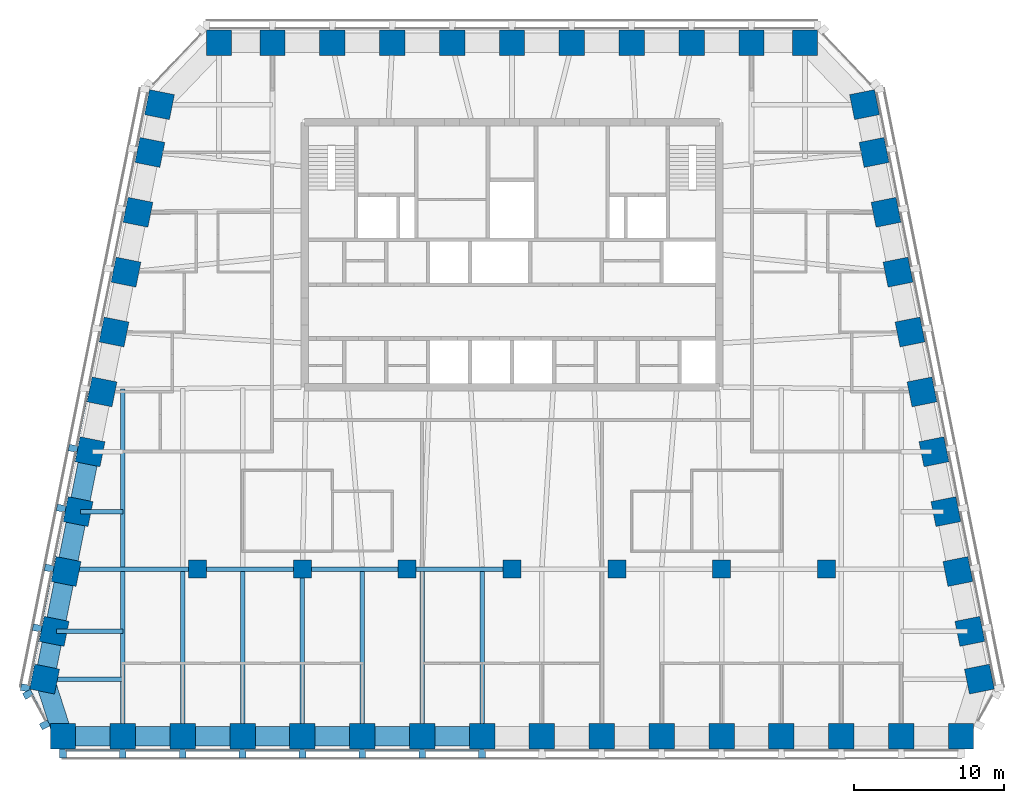
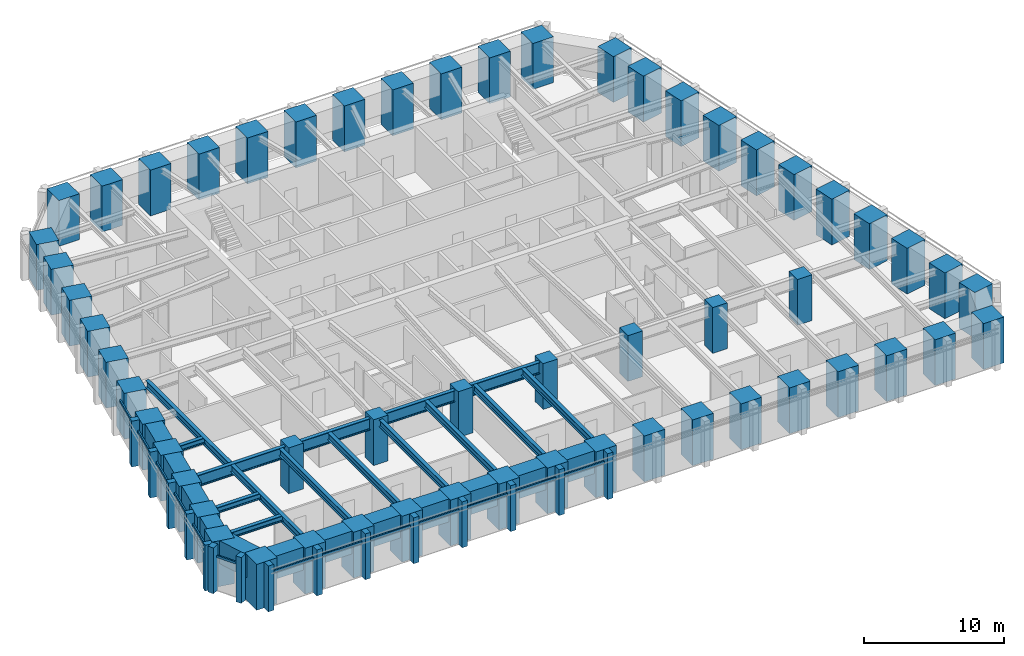
# One storey, part 1 of 11: 56 columns, 28 members, 27 beams, 3 elements without a shape of their own.
"""IFC4 building model written with IfcOpenShell, lengths in metres."""

from ifc_helpers import new_model, si_unit, direction, frame, origin, origin_2d, place, context, subcontext, project, spatial, rectangle, i_section, extrude, material, material_profile, profile_set, type_object, element, aggregate, save


model = new_model("IFC4")

# Units and contexts
model_context = context("Model", 3, precision=1e-05, world=origin(), true_north=direction((0.0, 1.0)))
body_context = subcontext(model_context, "Body", "Model", "MODEL_VIEW")
ifc_project = project(units=[si_unit("LENGTHUNIT", "METRE"), si_unit("AREAUNIT", "SQUARE_METRE"), si_unit("VOLUMEUNIT", "CUBIC_METRE"), si_unit("PLANEANGLEUNIT", "RADIAN"), si_unit("MASSUNIT", "GRAM", prefix="KILO")], contexts=[model_context])

# Site, building, storey
site_placement = place(None, origin())
site = spatial("IfcSite", under=ifc_project, at=site_placement, CompositionType="ELEMENT")
building_placement = place(site_placement, origin())
building = spatial("IfcBuilding", under=site, at=building_placement, Name="Isbrekke Arena Tower", CompositionType="ELEMENT")
storey_placement = place(building_placement, frame((0.0, 0.0, 252.0)))
storey = spatial("IfcBuildingStorey", under=building, at=storey_placement, Name="L58", CompositionType="ELEMENT", Elevation=252.0)

# Columns
ifc_material_1 = material(Name="Concrete B55 (C55/67)", Category="concrete")
ifc_material_profile_1 = material_profile(ifc_material_1, rectangle(XDim=1.199951171875, YDim=1.199951171875, at=origin_2d()), Name="RC 1200x1200")
ifc_profile_set_1 = profile_set([ifc_material_profile_1], Name="Concrete B55 (C55/67)")
column_type_1 = type_object("IfcColumnType", Name="C14 RC 1200 x 1200", PredefinedType="COLUMN", material=ifc_profile_set_1)
for number, where, z_axis, x_axis, name in (
    (1, (-21.0, -6.0, 0.0), (0.0, 0.0, 1.0), (1.0, 0.0, 0.0), "C14 I01"),
    (2, (-14.0, -6.0, 0.0), (0.0, 0.0, 1.0), (1.0, 0.0, 0.0), "C14 I02"),
    (3, (-7.0, -6.0, 0.0), (0.0, 0.0, 1.0), (1.0, 0.0, 0.0), "C14 I03"),
    (4, (0.0, -6.0, 0.0), (0.0, 0.0, 1.0), (1.0, 0.0, 0.0), "C14 I04"),
    (5, (7.0, -6.0, 0.0), (0.0, 0.0, 1.0), (1.0, 0.0, 0.0), "C14 I05"),
    (6, (14.0, -6.0, 0.0), (0.0, 0.0, 1.0), (1.0, 0.0, 0.0), "C14 I06"),
    (7, (21.0, -6.0, 0.0), (0.0, 0.0, 1.0), (1.0, 0.0, 0.0), "C14 I07"),
):
    element("IfcColumn", number, at=place(storey_placement, frame(where, z_axis=z_axis, x_axis=x_axis)), inside=storey, type_object=column_type_1, Name=name, PredefinedType="COLUMN", context=body_context, shape_type="SweptSolid", body=[
        extrude(rectangle(XDim=1.199951171875, YDim=1.199951171875, at=origin_2d()), origin(), (0.0, 0.0, 1.0), 4.0),
    ])
ifc_material_2 = material(Name="Concrete B55 (C55/67)", Category="concrete")
ifc_material_profile_2 = material_profile(ifc_material_2, rectangle(XDim=1.699951171875, YDim=1.699951171875, at=origin_2d()), Name="RC 1700x1700")
ifc_profile_set_2 = profile_set([ifc_material_profile_2], Name="Concrete B55 (C55/67)")
column_type_2 = type_object("IfcColumnType", Name="C5 RC 1700 x 1700", PredefinedType="COLUMN", material=ifc_profile_set_2)
for number, where, z_axis, x_axis, name in (
    (8, (-30.0, -17.175048828125, 0.0), (0.0, 0.0, 1.0), (1.0, 0.0, 0.0), "C5 S01"),
    (9, (-26.0, -17.175048828125, 0.0), (0.0, 0.0, 1.0), (1.0, 0.0, 0.0), "C5 S02"),
    (10, (-22.0, -17.175048828125, 0.0), (0.0, 0.0, 1.0), (1.0, 0.0, 0.0), "C5 S03"),
    (11, (-18.0, -17.175048828125, 0.0), (0.0, 0.0, 1.0), (1.0, 0.0, 0.0), "C5 S04"),
    (12, (-14.0, -17.175048828125, 0.0), (0.0, 0.0, 1.0), (1.0, 0.0, 0.0), "C5 S05"),
    (13, (-10.0, -17.175048828125, 0.0), (0.0, 0.0, 1.0), (1.0, 0.0, 0.0), "C5 S06"),
    (14, (-6.0, -17.175048828125, 0.0), (0.0, 0.0, 1.0), (1.0, 0.0, 0.0), "C5 S07"),
    (15, (-2.0, -17.175048828125, 0.0), (0.0, 0.0, 1.0), (1.0, 0.0, 0.0), "C5 S08"),
    (16, (2.0, -17.175048828125, 0.0), (0.0, 0.0, 1.0), (1.0, 0.0, 0.0), "C5 S09"),
    (17, (6.0, -17.175048828125, 0.0), (0.0, 0.0, 1.0), (1.0, 0.0, 0.0), "C5 S10"),
    (18, (10.0, -17.175048828125, 0.0), (0.0, 0.0, 1.0), (1.0, 0.0, 0.0), "C5 S11"),
    (19, (14.0, -17.175048828125, 0.0), (0.0, 0.0, 1.0), (1.0, 0.0, 0.0), "C5 S12"),
    (20, (18.0, -17.175048828125, 0.0), (0.0, 0.0, 1.0), (1.0, 0.0, 0.0), "C5 S13"),
    (21, (22.0, -17.175048828125, 0.0), (0.0, 0.0, 1.0), (1.0, 0.0, 0.0), "C5 S14"),
    (22, (26.0, -17.175048828125, 0.0), (0.0, 0.0, 1.0), (1.0, 0.0, 0.0), "C5 S15"),
    (23, (30.0, -17.175048828125, 0.0), (0.0, 0.0, 1.0), (1.0, 0.0, 0.0), "C5 S16"),
    (24, (31.229248046875, -13.352783203125, 0.0), (0.0, 0.0, 1.0), (-0.196116135138, 0.980580675691, 0.0), "C5 E01"),
    (25, (30.591064453125, -10.161865234375, 0.0), (0.0, 0.0, 1.0), (-0.196116135138, 0.980580675691, 0.0), "C5 E02"),
    (26, (29.791015625, -6.161865234375, 0.0), (0.0, 0.0, 1.0), (-0.196116135138, 0.980580675691, 0.0), "C5 E03"),
    (27, (28.990966796875, -2.161865234375, 0.0), (0.0, 0.0, 1.0), (-0.196116135138, 0.980580675691, 0.0), "C5 E04"),
    (28, (28.19091796875, 1.838134765625, 0.0), (0.0, 0.0, 1.0), (-0.196116135138, 0.980580675691, 0.0), "C5 E05"),
    (29, (27.39111328125, 5.838134765625, 0.0), (0.0, 0.0, 1.0), (-0.196116135138, 0.980580675691, 0.0), "C5 E06"),
    (30, (26.591064453125, 9.838134765625, 0.0), (0.0, 0.0, 1.0), (-0.196116135138, 0.980580675691, 0.0), "C5 E07"),
    (31, (25.791015625, 13.838134765625, 0.0), (0.0, 0.0, 1.0), (-0.196116135138, 0.980580675691, 0.0), "C5 E08"),
    (32, (24.990966796875, 17.838134765625, 0.0), (0.0, 0.0, 1.0), (-0.196116135138, 0.980580675691, 0.0), "C5 E09"),
    (33, (24.19091796875, 21.838134765625, 0.0), (0.0, 0.0, 1.0), (-0.196116135138, 0.980580675691, 0.0), "C5 E10"),
    (34, (23.552734375, 25.029296875, 0.0), (0.0, 0.0, 1.0), (-0.196116135138, 0.980580675691, 0.0), "C5 E11"),
    (35, (19.574951171875, 29.175048828125, 0.0), (0.0, 0.0, 1.0), (-1.0, 0.0, 0.0), "C5 N01"),
    (36, (16.0, 29.175048828125, 0.0), (0.0, 0.0, 1.0), (-1.0, 0.0, 0.0), "C5 N02"),
    (37, (12.0, 29.175048828125, 0.0), (0.0, 0.0, 1.0), (-1.0, 0.0, 0.0), "C5 N03"),
    (38, (8.0, 29.175048828125, 0.0), (0.0, 0.0, 1.0), (-1.0, 0.0, 0.0), "C5 N04"),
    (39, (4.0, 29.175048828125, 0.0), (0.0, 0.0, 1.0), (-1.0, 0.0, 0.0), "C5 N05"),
    (40, (0.0, 29.175048828125, 0.0), (0.0, 0.0, 1.0), (-1.0, 0.0, 0.0), "C5 N06"),
    (41, (-4.0, 29.175048828125, 0.0), (0.0, 0.0, 1.0), (-1.0, 0.0, 0.0), "C5 N07"),
    (42, (-8.0, 29.175048828125, 0.0), (0.0, 0.0, 1.0), (-1.0, 0.0, 0.0), "C5 N08"),
    (43, (-12.0, 29.175048828125, 0.0), (0.0, 0.0, 1.0), (-1.0, 0.0, 0.0), "C5 N09"),
    (44, (-16.0, 29.175048828125, 0.0), (0.0, 0.0, 1.0), (-1.0, 0.0, 0.0), "C5 N10"),
    (45, (-19.574951171875, 29.175048828125, 0.0), (0.0, 0.0, 1.0), (-1.0, 0.0, 0.0), "C5 N11"),
    (46, (-23.552734375, 25.029296875, 0.0), (0.0, 0.0, 1.0), (-0.196116135138, -0.980580675691, 0.0), "C5 W01"),
    (47, (-24.19091796875, 21.838134765625, 0.0), (0.0, 0.0, 1.0), (-0.196116135138, -0.980580675691, 0.0), "C5 W02"),
    (48, (-24.990966796875, 17.838134765625, 0.0), (0.0, 0.0, 1.0), (-0.196116135138, -0.980580675691, 0.0), "C5 W03"),
    (49, (-25.791015625, 13.838134765625, 0.0), (0.0, 0.0, 1.0), (-0.196116135138, -0.980580675691, 0.0), "C5 W04"),
    (50, (-26.591064453125, 9.838134765625, 0.0), (0.0, 0.0, 1.0), (-0.196116135138, -0.980580675691, 0.0), "C5 W05"),
    (51, (-27.39111328125, 5.838134765625, 0.0), (0.0, 0.0, 1.0), (-0.196116135138, -0.980580675691, 0.0), "C5 W06"),
    (52, (-28.19091796875, 1.838134765625, 0.0), (0.0, 0.0, 1.0), (-0.196116135138, -0.980580675691, 0.0), "C5 W07"),
    (53, (-28.990966796875, -2.161865234375, 0.0), (0.0, 0.0, 1.0), (-0.196116135138, -0.980580675691, 0.0), "C5 W08"),
    (54, (-29.791015625, -6.161865234375, 0.0), (0.0, 0.0, 1.0), (-0.196116135138, -0.980580675691, 0.0), "C5 W09"),
    (55, (-30.591064453125, -10.161865234375, 0.0), (0.0, 0.0, 1.0), (-0.196116135138, -0.980580675691, 0.0), "C5 W10"),
    (56, (-31.229248046875, -13.352783203125, 0.0), (0.0, 0.0, 1.0), (-0.196116135138, -0.980580675691, 0.0), "C5 W11"),
):
    element("IfcColumn", number, at=place(storey_placement, frame(where, z_axis=z_axis, x_axis=x_axis)), inside=storey, type_object=column_type_2, Name=name, PredefinedType="COLUMN", context=body_context, shape_type="SweptSolid", body=[
        extrude(rectangle(XDim=1.699951171875, YDim=1.699951171875, at=origin_2d()), origin(), (0.0, 0.0, 1.0), 4.0),
    ])

# Beams
ifc_material_3 = material(Name="Steel S355", Category="steel")
ifc_material_profile_3 = material_profile(ifc_material_3, i_section(OverallWidth=0.304931640625, OverallDepth=0.6201171875, WebThickness=0.02099609375, FlangeThickness=0.0400390625, FilletRadius=0.027099609375, at=origin_2d()), Name="HEM 600")
ifc_profile_set_3 = profile_set([ifc_material_profile_3], Name="Steel S355")
beam_type_1 = type_object("IfcBeamType", Name="B4 HEM 600", PredefinedType="BEAM", material=ifc_profile_set_3)
for number, where, z_axis, x_axis, name in (
    (57, (-26.0, -17.02490234375, 3.5400390625), (0.0, 1.0, 0.0), (-1.0, 0.0, 0.0), "B4 beam S-S02 L58"),
    (58, (-22.0, -17.02490234375, 3.5400390625), (0.0, 1.0, 0.0), (-1.0, 0.0, 0.0), "B4 beam S-S03 L58"),
    (59, (-18.0, -17.02490234375, 3.5400390625), (0.0, 1.0, 0.0), (-1.0, 0.0, 0.0), "B4 beam S-S04 L58"),
):
    element("IfcBeam", number, at=place(storey_placement, frame(where, z_axis=z_axis, x_axis=x_axis)), inside=storey, type_object=beam_type_1, Name=name, PredefinedType="BEAM", context=body_context, shape_type="SweptSolid", body=[
        extrude(i_section(OverallWidth=0.304931640625, OverallDepth=0.6201171875, WebThickness=0.02099609375, FlangeThickness=0.0400390625, FilletRadius=0.027099609375, at=origin_2d()), origin(), (0.0, 0.0, 1.0), 10.8740234375),
    ])
beam_1_placement = place(storey_placement, frame((-14.0, -17.02490234375, 3.5400390625), z_axis=(0.0, 1.0, 0.0), x_axis=(-1.0, 0.0, 0.0)))
element("IfcBeam", 60, at=beam_1_placement, inside=storey, type_object=beam_type_1, Name="B4 beam S-S05 L58", PredefinedType="BEAM", context=body_context, shape_type="SweptSolid", body=[
    extrude(i_section(OverallWidth=0.304931640625, OverallDepth=0.6201171875, WebThickness=0.02099609375, FlangeThickness=0.0400390625, FilletRadius=0.027099609375, at=origin_2d()), origin(), (0.0, 0.0, 1.0), 10.875),
])
for number, where, z_axis, x_axis, name in (
    (61, (-10.0, -17.02490234375, 3.5400390625), (0.0, 1.0, 0.0), (-1.0, 0.0, 0.0), "B4 beam S-S06 L58"),
    (62, (-6.0, -17.02490234375, 3.5400390625), (0.0, 1.0, 0.0), (-1.0, 0.0, 0.0), "B4 beam S-S07 L58"),
    (63, (-2.0, -17.02490234375, 3.5400390625), (0.0, 1.0, 0.0), (-1.0, 0.0, 0.0), "B4 beam S-S08 L58"),
):
    element("IfcBeam", number, at=place(storey_placement, frame(where, z_axis=z_axis, x_axis=x_axis)), inside=storey, type_object=beam_type_1, Name=name, PredefinedType="BEAM", context=body_context, shape_type="SweptSolid", body=[
        extrude(i_section(OverallWidth=0.304931640625, OverallDepth=0.6201171875, WebThickness=0.02099609375, FlangeThickness=0.0400390625, FilletRadius=0.027099609375, at=origin_2d()), origin(), (0.0, 0.0, 1.0), 10.8740234375),
    ])
beam_2_placement = place(storey_placement, frame((-26.0, -5.84912109375, 3.5400390625), z_axis=(0.0, 1.0, 0.0), x_axis=(-1.0, 0.0, 0.0)))
element("IfcBeam", 64, at=beam_2_placement, inside=storey, type_object=beam_type_1, Name="B4 beam C-M01 L58", PredefinedType="BEAM", context=body_context, shape_type="SweptSolid", body=[
    extrude(i_section(OverallWidth=0.304931640625, OverallDepth=0.6201171875, WebThickness=0.02099609375, FlangeThickness=0.0400390625, FilletRadius=0.027099609375, at=origin_2d()), origin(), (0.0, 0.0, 1.0), 11.86474609375),
])
ifc_material_4 = material(Name="Steel S355", Category="steel")
ifc_material_profile_4 = material_profile(ifc_material_4, i_section(OverallWidth=0.305908203125, OverallDepth=0.52392578125, WebThickness=0.02099609375, FlangeThickness=0.0400390625, FilletRadius=0.027099609375, at=origin_2d()), Name="HEM 500")
ifc_profile_set_4 = profile_set([ifc_material_profile_4], Name="Steel S355")
beam_type_2 = type_object("IfcBeamType", Name="B5 HEM 500", PredefinedType="BEAM", material=ifc_profile_set_4)
beam_3_placement = place(storey_placement, frame((-28.841064453125, -2.161865234375, 3.587890625), z_axis=(1.0, 0.0, 0.0), x_axis=(0.0, 1.0, 0.0)))
element("IfcBeam", 65, at=beam_3_placement, inside=storey, type_object=beam_type_2, Name="B5 beam E-W08 L58", PredefinedType="BEAM", context=body_context, shape_type="SweptSolid", body=[
    extrude(i_section(OverallWidth=0.305908203125, OverallDepth=0.52392578125, WebThickness=0.02099609375, FlangeThickness=0.0400390625, FilletRadius=0.027099609375, at=origin_2d()), origin(), (0.0, 0.0, 1.0), 2.841064453125),
])
beam_4_placement = place(storey_placement, frame((-30.44091796875, -10.161865234375, 3.587890625), z_axis=(1.0, 0.0, 0.0), x_axis=(0.0, 1.0, 0.0)))
element("IfcBeam", 66, at=beam_4_placement, inside=storey, type_object=beam_type_2, Name="B5 beam E-W10 L58", PredefinedType="BEAM", context=body_context, shape_type="SweptSolid", body=[
    extrude(i_section(OverallWidth=0.305908203125, OverallDepth=0.52392578125, WebThickness=0.02099609375, FlangeThickness=0.0400390625, FilletRadius=0.027099609375, at=origin_2d()), origin(), (0.0, 0.0, 1.0), 4.44091796875),
])
beam_5_placement = place(storey_placement, frame((-31.079345703125, -13.352783203125, 3.587890625), z_axis=(1.0, 0.0, 0.0), x_axis=(0.0, 1.0, 0.0)))
element("IfcBeam", 67, at=beam_5_placement, inside=storey, type_object=beam_type_2, Name="B5 beam E-W11 L58", PredefinedType="BEAM", context=body_context, shape_type="SweptSolid", body=[
    extrude(i_section(OverallWidth=0.305908203125, OverallDepth=0.52392578125, WebThickness=0.02099609375, FlangeThickness=0.0400390625, FilletRadius=0.027099609375, at=origin_2d()), origin(), (0.0, 0.0, 1.0), 5.079345703125),
])

# Curtain wall, members
ifc_material_5 = material(Name="Glazed aluminium curtain wall", Category="aluminium")
curtain_wall_type = type_object("IfcCurtainWallType", Name="CWT TOWER CURTAIN WALL TOP ZONE", PredefinedType="USERDEFINED", material=ifc_material_5)
curtain_wall_1_placement = place(storey_placement, origin())
curtain_wall_1 = element("IfcCurtainWall", 68, at=curtain_wall_1_placement, inside=storey, type_object=curtain_wall_type, Name="CWT curtain wall L58-S", ObjectType="TOWER CURTAIN WALL TOP ZONE", PredefinedType="USERDEFINED")
ifc_material_6 = material(Name="Copper-clad aluminium mullion", Category="aluminium")
ifc_material_profile_5 = material_profile(ifc_material_6, rectangle(XDim=0.449951171875, YDim=0.60009765625, at=origin_2d()), Name="PIER 450X600")
ifc_profile_set_5 = profile_set([ifc_material_profile_5], Name="Copper-clad aluminium mullion")
member_type_1 = type_object("IfcMemberType", Name="CWT-M PIER MULLION 450 x 600", PredefinedType="MULLION", material=ifc_profile_set_5)
member_1_placement = place(storey_placement, frame((-30.0, -18.324951171875, 0.0), z_axis=(0.0, 0.0, 1.0), x_axis=(1.0, 0.0, 0.0)))
member_1 = element("IfcMember", 69, at=member_1_placement, type_object=member_type_1, Name="CWT-M mullion 1", PredefinedType="MULLION", context=body_context, shape_type="SweptSolid", body=[
    extrude(rectangle(XDim=0.449951171875, YDim=0.60009765625, at=origin_2d()), origin(), (0.0, 0.0, 1.0), 4.0),
])
member_2_placement = place(storey_placement, frame((-26.0, -18.324951171875, 0.0), z_axis=(0.0, 0.0, 1.0), x_axis=(1.0, 0.0, 0.0)))
member_2 = element("IfcMember", 70, at=member_2_placement, type_object=member_type_1, Name="CWT-M mullion 2", PredefinedType="MULLION", context=body_context, shape_type="SweptSolid", body=[
    extrude(rectangle(XDim=0.449951171875, YDim=0.60009765625, at=origin_2d()), origin(), (0.0, 0.0, 1.0), 4.0),
])
member_3_placement = place(storey_placement, frame((-22.0, -18.324951171875, 0.0), z_axis=(0.0, 0.0, 1.0), x_axis=(1.0, 0.0, 0.0)))
member_3 = element("IfcMember", 71, at=member_3_placement, type_object=member_type_1, Name="CWT-M mullion 3", PredefinedType="MULLION", context=body_context, shape_type="SweptSolid", body=[
    extrude(rectangle(XDim=0.449951171875, YDim=0.60009765625, at=origin_2d()), origin(), (0.0, 0.0, 1.0), 4.0),
])
member_4_placement = place(storey_placement, frame((-18.0, -18.324951171875, 0.0), z_axis=(0.0, 0.0, 1.0), x_axis=(1.0, 0.0, 0.0)))
member_4 = element("IfcMember", 72, at=member_4_placement, type_object=member_type_1, Name="CWT-M mullion 4", PredefinedType="MULLION", context=body_context, shape_type="SweptSolid", body=[
    extrude(rectangle(XDim=0.449951171875, YDim=0.60009765625, at=origin_2d()), origin(), (0.0, 0.0, 1.0), 4.0),
])
member_5_placement = place(storey_placement, frame((-14.0, -18.324951171875, 0.0), z_axis=(0.0, 0.0, 1.0), x_axis=(1.0, 0.0, 0.0)))
member_5 = element("IfcMember", 73, at=member_5_placement, type_object=member_type_1, Name="CWT-M mullion 5", PredefinedType="MULLION", context=body_context, shape_type="SweptSolid", body=[
    extrude(rectangle(XDim=0.449951171875, YDim=0.60009765625, at=origin_2d()), origin(), (0.0, 0.0, 1.0), 4.0),
])
member_6_placement = place(storey_placement, frame((-10.0, -18.324951171875, 0.0), z_axis=(0.0, 0.0, 1.0), x_axis=(1.0, 0.0, 0.0)))
member_6 = element("IfcMember", 74, at=member_6_placement, type_object=member_type_1, Name="CWT-M mullion 6", PredefinedType="MULLION", context=body_context, shape_type="SweptSolid", body=[
    extrude(rectangle(XDim=0.449951171875, YDim=0.60009765625, at=origin_2d()), origin(), (0.0, 0.0, 1.0), 4.0),
])
member_7_placement = place(storey_placement, frame((-6.0, -18.324951171875, 0.0), z_axis=(0.0, 0.0, 1.0), x_axis=(1.0, 0.0, 0.0)))
member_7 = element("IfcMember", 75, at=member_7_placement, type_object=member_type_1, Name="CWT-M mullion 7", PredefinedType="MULLION", context=body_context, shape_type="SweptSolid", body=[
    extrude(rectangle(XDim=0.449951171875, YDim=0.60009765625, at=origin_2d()), origin(), (0.0, 0.0, 1.0), 4.0),
])
member_8_placement = place(storey_placement, frame((-2.0, -18.324951171875, 0.0), z_axis=(0.0, 0.0, 1.0), x_axis=(1.0, 0.0, 0.0)))
member_8 = element("IfcMember", 76, at=member_8_placement, type_object=member_type_1, Name="CWT-M mullion 8", PredefinedType="MULLION", context=body_context, shape_type="SweptSolid", body=[
    extrude(rectangle(XDim=0.449951171875, YDim=0.60009765625, at=origin_2d()), origin(), (0.0, 0.0, 1.0), 4.0),
])

curtain_wall_2_placement = place(storey_placement, origin())
curtain_wall_2 = element("IfcCurtainWall", 77, at=curtain_wall_2_placement, inside=storey, type_object=curtain_wall_type, Name="CWT curtain wall L58-W", ObjectType="TOWER CURTAIN WALL TOP ZONE", PredefinedType="USERDEFINED")
member_9_placement = place(storey_placement, frame((-29.318603515625, 2.063720703125, 0.0), z_axis=(0.0, 0.0, 1.0), x_axis=(-0.196116135138, -0.980580675691, 0.0)))
member_9 = element("IfcMember", 78, at=member_9_placement, type_object=member_type_1, Name="CWT-M mullion 7", PredefinedType="MULLION", context=body_context, shape_type="SweptSolid", body=[
    extrude(rectangle(XDim=0.449951171875, YDim=0.60009765625, at=origin_2d()), origin(), (0.0, 0.0, 1.0), 4.0),
])
member_10_placement = place(storey_placement, frame((-30.11865234375, -1.936279296875, 0.0), z_axis=(0.0, 0.0, 1.0), x_axis=(-0.196116135138, -0.980580675691, 0.0)))
member_10 = element("IfcMember", 79, at=member_10_placement, type_object=member_type_1, Name="CWT-M mullion 8", PredefinedType="MULLION", context=body_context, shape_type="SweptSolid", body=[
    extrude(rectangle(XDim=0.449951171875, YDim=0.60009765625, at=origin_2d()), origin(), (0.0, 0.0, 1.0), 4.0),
])
member_11_placement = place(storey_placement, frame((-30.918701171875, -5.936279296875, 0.0), z_axis=(0.0, 0.0, 1.0), x_axis=(-0.196116135138, -0.980580675691, 0.0)))
member_11 = element("IfcMember", 80, at=member_11_placement, type_object=member_type_1, Name="CWT-M mullion 9", PredefinedType="MULLION", context=body_context, shape_type="SweptSolid", body=[
    extrude(rectangle(XDim=0.449951171875, YDim=0.60009765625, at=origin_2d()), origin(), (0.0, 0.0, 1.0), 4.0),
])
member_12_placement = place(storey_placement, frame((-31.71875, -9.936279296875, 0.0), z_axis=(0.0, 0.0, 1.0), x_axis=(-0.196116135138, -0.980580675691, 0.0)))
member_12 = element("IfcMember", 81, at=member_12_placement, type_object=member_type_1, Name="CWT-M mullion 10", PredefinedType="MULLION", context=body_context, shape_type="SweptSolid", body=[
    extrude(rectangle(XDim=0.449951171875, YDim=0.60009765625, at=origin_2d()), origin(), (0.0, 0.0, 1.0), 4.0),
])
member_13_placement = place(storey_placement, frame((-32.518798828125, -13.936279296875, 0.0), z_axis=(0.0, 0.0, 1.0), x_axis=(-0.196116135138, -0.980580675691, 0.0)))
member_13 = element("IfcMember", 82, at=member_13_placement, type_object=member_type_1, Name="CWT-M mullion 11", PredefinedType="MULLION", context=body_context, shape_type="SweptSolid", body=[
    extrude(rectangle(XDim=0.449951171875, YDim=0.60009765625, at=origin_2d()), origin(), (0.0, 0.0, 1.0), 4.0),
])

curtain_wall_3_placement = place(storey_placement, origin())
curtain_wall_3 = element("IfcCurtainWall", 83, at=curtain_wall_3_placement, inside=storey, type_object=curtain_wall_type, Name="CWT curtain wall L58-WS", ObjectType="TOWER CURTAIN WALL TOP ZONE", PredefinedType="USERDEFINED")
member_14_placement = place(storey_placement, frame((-32.34033203125, -14.367431640625, 0.0), z_axis=(0.0, 0.0, 1.0), x_axis=(0.481918749773, -0.876215908676, 0.0)))
member_14 = element("IfcMember", 84, at=member_14_placement, type_object=member_type_1, Name="CWT-M mullion 1", PredefinedType="MULLION", context=body_context, shape_type="SweptSolid", body=[
    extrude(rectangle(XDim=0.449951171875, YDim=0.60009765625, at=origin_2d()), origin(), (0.0, 0.0, 1.0), 4.0),
])
member_15_placement = place(storey_placement, frame((-31.21826171875, -16.407470703125, 0.0), z_axis=(0.0, 0.0, 1.0), x_axis=(0.481918749773, -0.876215908676, 0.0)))
member_15 = element("IfcMember", 85, at=member_15_placement, type_object=member_type_1, Name="CWT-M mullion 2", PredefinedType="MULLION", context=body_context, shape_type="SweptSolid", body=[
    extrude(rectangle(XDim=0.449951171875, YDim=0.60009765625, at=origin_2d()), origin(), (0.0, 0.0, 1.0), 4.0),
])

# Member
ifc_material_7 = material(Name="Aluminium transom", Category="aluminium")
ifc_material_profile_6 = material_profile(ifc_material_7, rectangle(XDim=0.1201171875, YDim=0.199951171875, at=origin_2d()), Name="TRANSOM 120X200")
ifc_profile_set_6 = profile_set([ifc_material_profile_6], Name="Aluminium transom")
member_type_2 = type_object("IfcMemberType", Name="CWT-T TRANSOM 120 x 200", PredefinedType="USERDEFINED", material=ifc_profile_set_6)
member_16_placement = place(storey_placement, frame((-29.77490234375, -18.125, 3.0), z_axis=(1.0, 0.0, 0.0), x_axis=(0.0, 1.0, 0.0)))
member_16 = element("IfcMember", 86, at=member_16_placement, type_object=member_type_2, Name="CWT-T transom 1", ObjectType="TRANSOM", PredefinedType="USERDEFINED", context=body_context, shape_type="SweptSolid", body=[
    extrude(rectangle(XDim=0.1201171875, YDim=0.199951171875, at=origin_2d()), origin(), (0.0, 0.0, 1.0), 3.5498046875),
])

member_17_placement = place(storey_placement, frame((-25.77490234375, -18.125, 3.0), z_axis=(1.0, 0.0, 0.0), x_axis=(0.0, 1.0, 0.0)))
member_17 = element("IfcMember", 87, at=member_17_placement, type_object=member_type_2, Name="CWT-T transom 2", ObjectType="TRANSOM", PredefinedType="USERDEFINED", context=body_context, shape_type="SweptSolid", body=[
    extrude(rectangle(XDim=0.1201171875, YDim=0.199951171875, at=origin_2d()), origin(), (0.0, 0.0, 1.0), 3.5498046875),
])

member_18_placement = place(storey_placement, frame((-21.77490234375, -18.125, 3.0), z_axis=(1.0, 0.0, 0.0), x_axis=(0.0, 1.0, 0.0)))
member_18 = element("IfcMember", 88, at=member_18_placement, type_object=member_type_2, Name="CWT-T transom 3", ObjectType="TRANSOM", PredefinedType="USERDEFINED", context=body_context, shape_type="SweptSolid", body=[
    extrude(rectangle(XDim=0.1201171875, YDim=0.199951171875, at=origin_2d()), origin(), (0.0, 0.0, 1.0), 3.5498046875),
])

member_19_placement = place(storey_placement, frame((-17.77490234375, -18.125, 3.0), z_axis=(1.0, 0.0, 0.0), x_axis=(0.0, 1.0, 0.0)))
member_19 = element("IfcMember", 89, at=member_19_placement, type_object=member_type_2, Name="CWT-T transom 4", ObjectType="TRANSOM", PredefinedType="USERDEFINED", context=body_context, shape_type="SweptSolid", body=[
    extrude(rectangle(XDim=0.1201171875, YDim=0.199951171875, at=origin_2d()), origin(), (0.0, 0.0, 1.0), 3.5498046875),
])

member_20_placement = place(storey_placement, frame((-13.77490234375, -18.125, 3.0), z_axis=(1.0, 0.0, 0.0), x_axis=(0.0, 1.0, 0.0)))
member_20 = element("IfcMember", 90, at=member_20_placement, type_object=member_type_2, Name="CWT-T transom 5", ObjectType="TRANSOM", PredefinedType="USERDEFINED", context=body_context, shape_type="SweptSolid", body=[
    extrude(rectangle(XDim=0.1201171875, YDim=0.199951171875, at=origin_2d()), origin(), (0.0, 0.0, 1.0), 3.5498046875),
])

member_21_placement = place(storey_placement, frame((-9.77490234375, -18.125, 3.0), z_axis=(1.0, 0.0, 0.0), x_axis=(0.0, 1.0, 0.0)))
member_21 = element("IfcMember", 91, at=member_21_placement, type_object=member_type_2, Name="CWT-T transom 6", ObjectType="TRANSOM", PredefinedType="USERDEFINED", context=body_context, shape_type="SweptSolid", body=[
    extrude(rectangle(XDim=0.1201171875, YDim=0.199951171875, at=origin_2d()), origin(), (0.0, 0.0, 1.0), 3.5498046875),
])

member_22_placement = place(storey_placement, frame((-5.77490234375, -18.125, 3.0), z_axis=(1.0, 0.0, 0.0), x_axis=(0.0, 1.0, 0.0)))
member_22 = element("IfcMember", 92, at=member_22_placement, type_object=member_type_2, Name="CWT-T transom 7", ObjectType="TRANSOM", PredefinedType="USERDEFINED", context=body_context, shape_type="SweptSolid", body=[
    extrude(rectangle(XDim=0.1201171875, YDim=0.199951171875, at=origin_2d()), origin(), (0.0, 0.0, 1.0), 3.5498046875),
])

aggregate(curtain_wall_1, [member_1, member_2, member_3, member_4, member_5, member_6, member_7, member_8, member_16, member_17, member_18, member_19, member_20, member_21, member_22])

member_23_placement = place(storey_placement, frame((-28.36669921875, 5.803955078125, 3.0), z_axis=(-0.196090262229, -0.980585849918, 0.0), x_axis=(0.980585849918, -0.196090262229, 0.0)))
member_23 = element("IfcMember", 93, at=member_23_placement, type_object=member_type_2, Name="CWT-T transom 6", ObjectType="TRANSOM", PredefinedType="USERDEFINED", context=body_context, shape_type="SweptSolid", body=[
    extrude(rectangle(XDim=0.1201171875, YDim=0.199951171875, at=origin_2d()), origin(), (0.0, 0.0, 1.0), 3.62939453125),
])

member_24_placement = place(storey_placement, frame((-29.166748046875, 1.803955078125, 3.0), z_axis=(-0.196090262229, -0.980585849918, 0.0), x_axis=(0.980585849918, -0.196090262229, 0.0)))
member_24 = element("IfcMember", 94, at=member_24_placement, type_object=member_type_2, Name="CWT-T transom 7", ObjectType="TRANSOM", PredefinedType="USERDEFINED", context=body_context, shape_type="SweptSolid", body=[
    extrude(rectangle(XDim=0.1201171875, YDim=0.199951171875, at=origin_2d()), origin(), (0.0, 0.0, 1.0), 3.62939453125),
])

member_25_placement = place(storey_placement, frame((-29.966796875, -2.196044921875, 3.0), z_axis=(-0.196090262229, -0.980585849918, 0.0), x_axis=(0.980585849918, -0.196090262229, 0.0)))
member_25 = element("IfcMember", 95, at=member_25_placement, type_object=member_type_2, Name="CWT-T transom 8", ObjectType="TRANSOM", PredefinedType="USERDEFINED", context=body_context, shape_type="SweptSolid", body=[
    extrude(rectangle(XDim=0.1201171875, YDim=0.199951171875, at=origin_2d()), origin(), (0.0, 0.0, 1.0), 3.62939453125),
])

member_26_placement = place(storey_placement, frame((-30.7666015625, -6.196044921875, 3.0), z_axis=(-0.196154943734, -0.980572913173, 0.0), x_axis=(0.980572913173, -0.196154943734, 0.0)))
member_26 = element("IfcMember", 96, at=member_26_placement, type_object=member_type_2, Name="CWT-T transom 9", ObjectType="TRANSOM", PredefinedType="USERDEFINED", context=body_context, shape_type="SweptSolid", body=[
    extrude(rectangle(XDim=0.1201171875, YDim=0.199951171875, at=origin_2d()), origin(), (0.0, 0.0, 1.0), 3.62939453125),
])

member_27_placement = place(storey_placement, frame((-31.566650390625, -10.196044921875, 3.0), z_axis=(-0.196154943734, -0.980572913173, 0.0), x_axis=(0.980572913173, -0.196154943734, 0.0)))
member_27 = element("IfcMember", 97, at=member_27_placement, type_object=member_type_2, Name="CWT-T transom 10", ObjectType="TRANSOM", PredefinedType="USERDEFINED", context=body_context, shape_type="SweptSolid", body=[
    extrude(rectangle(XDim=0.1201171875, YDim=0.199951171875, at=origin_2d()), origin(), (0.0, 0.0, 1.0), 3.62939453125),
])

aggregate(curtain_wall_2, [member_9, member_10, member_11, member_12, member_13, member_23, member_24, member_25, member_26, member_27])

member_28_placement = place(storey_placement, frame((-32.056640625, -14.46826171875, 3.0), z_axis=(0.481918749772, -0.876215908677, 0.0), x_axis=(0.876215908677, 0.481918749772, 0.0)))
member_28 = element("IfcMember", 98, at=member_28_placement, type_object=member_type_2, Name="CWT-T transom 1", ObjectType="TRANSOM", PredefinedType="USERDEFINED", context=body_context, shape_type="SweptSolid", body=[
    extrude(rectangle(XDim=0.1201171875, YDim=0.199951171875, at=origin_2d()), origin(), (0.0, 0.0, 1.0), 1.8779296875),
])

aggregate(curtain_wall_3, [member_14, member_15, member_28])

# Beams
ifc_material_8 = material(Name="Steel S355", Category="steel")
ifc_material_profile_7 = material_profile(ifc_material_8, i_section(OverallWidth=0.302001953125, OverallDepth=1.008056640625, WebThickness=0.02099609375, FlangeThickness=0.0400390625, FilletRadius=0.030029296875, at=origin_2d()), Name="HEM 1000")
ifc_profile_set_7 = profile_set([ifc_material_profile_7], Name="Steel S355")
beam_type_3 = type_object("IfcBeamType", Name="G1 HEM 1000", PredefinedType="BEAM", material=ifc_profile_set_7)
beam_6_placement = place(storey_placement, frame((-29.791015625, -6.0, 3.345947265625), z_axis=(1.0, 0.0, 0.0), x_axis=(0.0, 1.0, 0.0)))
element("IfcBeam", 99, at=beam_6_placement, inside=storey, type_object=beam_type_3, Name="G1 beam G1-01 L58", PredefinedType="BEAM", context=body_context, shape_type="SweptSolid", body=[
    extrude(i_section(OverallWidth=0.302001953125, OverallDepth=1.008056640625, WebThickness=0.02099609375, FlangeThickness=0.0400390625, FilletRadius=0.030029296875, at=origin_2d()), origin(), (0.0, 0.0, 1.0), 8.64111328125),
])
for number, where, z_axis, x_axis, name in (
    (100, (-20.85009765625, -6.0, 3.345947265625), (1.0, 0.0, 0.0), (0.0, 1.0, 0.0), "G1 beam G1-02 L58"),
    (101, (-13.85009765625, -6.0, 3.345947265625), (1.0, 0.0, 0.0), (0.0, 1.0, 0.0), "G1 beam G1-03 L58"),
    (102, (-6.85009765625, -6.0, 3.345947265625), (1.0, 0.0, 0.0), (0.0, 1.0, 0.0), "G1 beam G1-04 L58"),
):
    element("IfcBeam", number, at=place(storey_placement, frame(where, z_axis=z_axis, x_axis=x_axis)), inside=storey, type_object=beam_type_3, Name=name, PredefinedType="BEAM", context=body_context, shape_type="SweptSolid", body=[
        extrude(i_section(OverallWidth=0.302001953125, OverallDepth=1.008056640625, WebThickness=0.02099609375, FlangeThickness=0.0400390625, FilletRadius=0.030029296875, at=origin_2d()), origin(), (0.0, 0.0, 1.0), 6.7001953125),
    ])
ifc_material_9 = material(Name="Concrete B55 (C55/67)", Category="concrete")
ifc_material_profile_8 = material_profile(ifc_material_9, rectangle(XDim=1.300048828125, YDim=2.0, at=origin_2d()), Name="RC 1300x2000")
ifc_profile_set_8 = profile_set([ifc_material_profile_8], Name="Concrete B55 (C55/67)")
beam_type_4 = type_object("IfcBeamType", Name="SB4 RC 1300 x 2000", PredefinedType="SPANDREL", material=ifc_profile_set_8)
for number, where, z_axis, x_axis, name in (
    (103, (-29.85009765625, -17.175048828125, 3.0), (1.0, 0.0, 0.0), (0.0, 1.0, 0.0), "SB4 spandrel S01-S02 L58"),
    (104, (-25.85009765625, -17.175048828125, 3.0), (1.0, 0.0, 0.0), (0.0, 1.0, 0.0), "SB4 spandrel S02-S03 L58"),
    (105, (-21.85009765625, -17.175048828125, 3.0), (1.0, 0.0, 0.0), (0.0, 1.0, 0.0), "SB4 spandrel S03-S04 L58"),
    (106, (-17.85009765625, -17.175048828125, 3.0), (1.0, 0.0, 0.0), (0.0, 1.0, 0.0), "SB4 spandrel S04-S05 L58"),
    (107, (-13.85009765625, -17.175048828125, 3.0), (1.0, 0.0, 0.0), (0.0, 1.0, 0.0), "SB4 spandrel S05-S06 L58"),
    (108, (-9.85009765625, -17.175048828125, 3.0), (1.0, 0.0, 0.0), (0.0, 1.0, 0.0), "SB4 spandrel S06-S07 L58"),
    (109, (-5.85009765625, -17.175048828125, 3.0), (1.0, 0.0, 0.0), (0.0, 1.0, 0.0), "SB4 spandrel S07-S08 L58"),
):
    element("IfcBeam", number, at=place(storey_placement, frame(where, z_axis=z_axis, x_axis=x_axis)), inside=storey, type_object=beam_type_4, Name=name, PredefinedType="SPANDREL", context=body_context, shape_type="SweptSolid", body=[
        extrude(rectangle(XDim=1.300048828125, YDim=2.0, at=origin_2d()), origin(), (0.0, 0.0, 1.0), 3.7001953125),
    ])
for number, where, z_axis, x_axis, name in (
    (110, (-28.220458984375, 1.691162109375, 3.0), (-0.196128558387, -0.980578190959, 0.0), (0.980578190959, -0.196128558387, 0.0), "SB4 spandrel W07-W08 L58"),
    (111, (-29.0205078125, -2.308837890625, 3.0), (-0.196128558387, -0.980578190959, 0.0), (0.980578190959, -0.196128558387, 0.0), "SB4 spandrel W08-W09 L58"),
):
    element("IfcBeam", number, at=place(storey_placement, frame(where, z_axis=z_axis, x_axis=x_axis)), inside=storey, type_object=beam_type_4, Name=name, PredefinedType="SPANDREL", context=body_context, shape_type="SweptSolid", body=[
        extrude(rectangle(XDim=1.300048828125, YDim=2.0, at=origin_2d()), origin(), (0.0, 0.0, 1.0), 3.779296875),
    ])
beam_7_placement = place(storey_placement, frame((-29.820556640625, -6.308837890625, 3.0), z_axis=(-0.1960664412, -0.980590613169, 0.0), x_axis=(0.980590613169, -0.1960664412, 0.0)))
element("IfcBeam", 112, at=beam_7_placement, inside=storey, type_object=beam_type_4, Name="SB4 spandrel W09-W10 L58", PredefinedType="SPANDREL", context=body_context, shape_type="SweptSolid", body=[
    extrude(rectangle(XDim=1.300048828125, YDim=2.0, at=origin_2d()), origin(), (0.0, 0.0, 1.0), 3.779052734375),
])
beam_8_placement = place(storey_placement, frame((-30.620361328125, -10.308837890625, 3.0), z_axis=(-0.196100243168, -0.980583853951, 0.0), x_axis=(0.980583853951, -0.196100243168, 0.0)))
element("IfcBeam", 113, at=beam_8_placement, inside=storey, type_object=beam_type_4, Name="SB4 spandrel W10-W11 L58", PredefinedType="SPANDREL", context=body_context, shape_type="SweptSolid", body=[
    extrude(rectangle(XDim=1.300048828125, YDim=2.0, at=origin_2d()), origin(), (0.0, 0.0, 1.0), 2.954345703125),
])
beam_9_placement = place(storey_placement, frame((-31.183349609375, -13.49560546875, 3.0), z_axis=(0.306175101476, -0.951975213562, 0.0), x_axis=(0.951975213562, 0.306175101476, 0.0)))
element("IfcBeam", 114, at=beam_9_placement, inside=storey, type_object=beam_type_4, Name="SB4 spandrel W11-S01 L58", PredefinedType="SPANDREL", context=body_context, shape_type="SweptSolid", body=[
    extrude(rectangle(XDim=1.300048828125, YDim=2.0, at=origin_2d()), origin(), (0.0, 0.0, 1.0), 3.715087890625),
])

save(model, "model.ifc")
